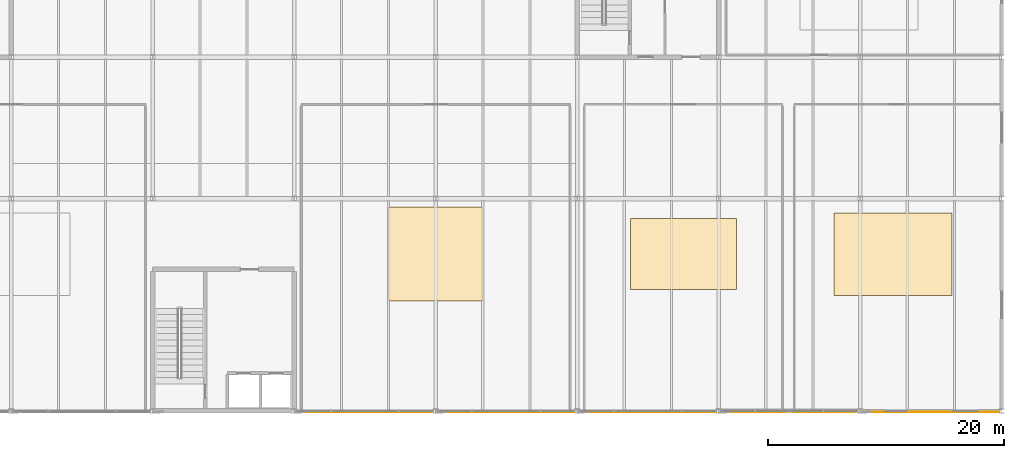
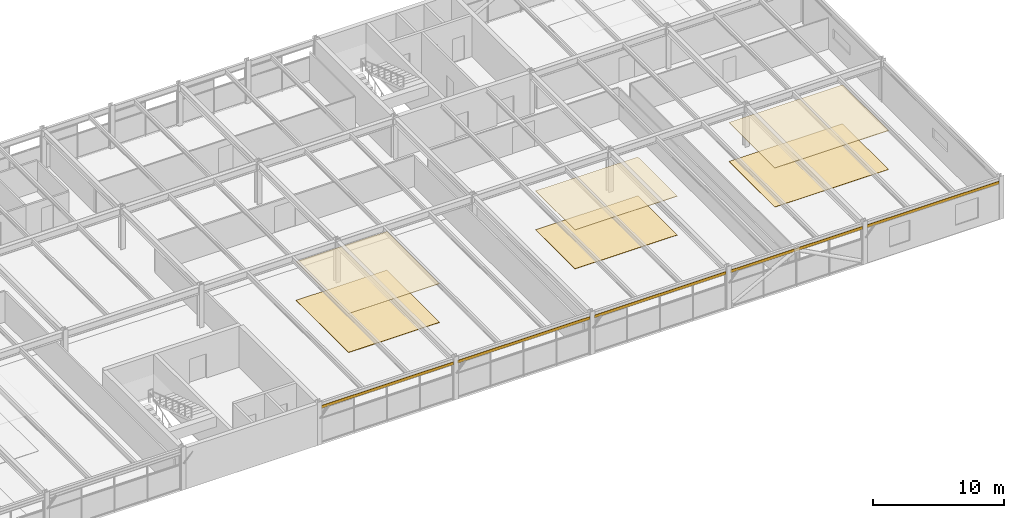
# One storey, part 50 of 51: 6 coverings, 5 shading devices.
"""IFC4 building model written with IfcOpenShell, lengths in metres."""

from ifc_helpers import new_model, si_unit, direction, frame, origin, origin_2d, place, context, subcontext, project, spatial, rectangle, extrude, material, layer, layer_set, type_object, element, save


model = new_model("IFC4")

# Units and contexts
model_context = context("Model", 3, precision=1e-05, world=origin(), true_north=direction((0.0, 1.0)))
body_context = subcontext(model_context, "Body", "Model", "MODEL_VIEW")
ifc_project = project(units=[si_unit("LENGTHUNIT", "METRE"), si_unit("AREAUNIT", "SQUARE_METRE"), si_unit("VOLUMEUNIT", "CUBIC_METRE"), si_unit("PLANEANGLEUNIT", "RADIAN"), si_unit("MASSUNIT", "GRAM", prefix="KILO")], contexts=[model_context])

# Site, building, storey
site_placement = place(None, origin())
site = spatial("IfcSite", under=ifc_project, at=site_placement, CompositionType="ELEMENT")
building_placement = place(site_placement, origin())
building = spatial("IfcBuilding", under=site, at=building_placement, Name="Girod Span Mobility Hub", CompositionType="ELEMENT")
storey_placement = place(building_placement, frame((0.0, 0.0, 41.60009765625)))
storey = spatial("IfcBuildingStorey", under=building, at=storey_placement, Name="L10", CompositionType="ELEMENT", Elevation=41.60009765625)

# Coverings
ifc_material_1 = material(Name="Perforated Mineral-Fibre Acoustic Ceiling Tile", Category="mineral")
ifc_layer_1 = layer(ifc_material_1, 0.050048828125)
ifc_layer_set_1 = layer_set([ifc_layer_1], Name="Perforated Mineral-Fibre Acoustic Ceiling Tile")
covering_type_1 = type_object("IfcCoveringType", Name="COV-CLG-1000X700", PredefinedType="CEILING", material=ifc_layer_set_1)
covering_1_placement = place(storey_placement, frame((134.800048828125, 40.300048828125, 3.60498046875), z_axis=(0.0, 0.0, 1.0), x_axis=(1.0, 0.0, 0.0)))
element("IfcCovering", 1, at=covering_1_placement, inside=storey, type_object=covering_type_1, Name="Office Suite South East L10 Acoustic Ceiling", PredefinedType="CEILING", context=body_context, shape_type="SweptSolid", body=[
    extrude(rectangle(XDim=10.0, YDim=7.0, at=origin_2d()), origin(), (0.0, 0.0, 1.0), 0.050048828125),
])
ifc_material_2 = material(Name="Perforated Mineral-Fibre Acoustic Ceiling Tile", Category="mineral")
ifc_layer_2 = layer(ifc_material_2, 0.0400390625)
ifc_layer_set_2 = layer_set([ifc_layer_2], Name="Perforated Mineral-Fibre Acoustic Ceiling Tile")
covering_type_2 = type_object("IfcCoveringType", Name="COV-CLG-800X800", PredefinedType="CEILING", material=ifc_layer_set_2)
covering_2_placement = place(storey_placement, frame((96.0, 40.300048828125, 3.60498046875), z_axis=(0.0, 0.0, 1.0), x_axis=(1.0, 0.0, 0.0)))
element("IfcCovering", 2, at=covering_2_placement, inside=storey, type_object=covering_type_2, Name="Planning Studio South L10 Acoustic Ceiling", PredefinedType="CEILING", context=body_context, shape_type="SweptSolid", body=[
    extrude(rectangle(XDim=8.0, YDim=8.0, at=origin_2d()), origin(), (0.0, 0.0, 1.0), 0.0400390625),
])
ifc_material_3 = material(Name="Perforated Mineral-Fibre Acoustic Ceiling Tile", Category="mineral")
ifc_layer_3 = layer(ifc_material_3, 0.044921875)
ifc_layer_set_3 = layer_set([ifc_layer_3], Name="Perforated Mineral-Fibre Acoustic Ceiling Tile")
covering_type_3 = type_object("IfcCoveringType", Name="COV-CLG-900X600", PredefinedType="CEILING", material=ifc_layer_set_3)
covering_3_placement = place(storey_placement, frame((117.0, 40.300048828125, 3.60498046875), z_axis=(0.0, 0.0, 1.0), x_axis=(1.0, 0.0, 0.0)))
element("IfcCovering", 3, at=covering_3_placement, inside=storey, type_object=covering_type_3, Name="Conference Room East L10 Acoustic Ceiling", PredefinedType="CEILING", context=body_context, shape_type="SweptSolid", body=[
    extrude(rectangle(XDim=9.0, YDim=6.0, at=origin_2d()), origin(), (0.0, 0.0, 1.0), 0.044921875),
])
ifc_material_4 = material(Name="Epoxy Terrazzo and Raised Access Flooring", Category="polymer")
ifc_layer_4 = layer(ifc_material_4, 0.02490234375)
ifc_layer_set_4 = layer_set([ifc_layer_4], Name="Epoxy Terrazzo and Raised Access Flooring")
covering_type_4 = type_object("IfcCoveringType", Name="COV-FLR-1000X700", PredefinedType="FLOORING", material=ifc_layer_set_4)
covering_4_placement = place(storey_placement, frame((134.800048828125, 40.300048828125, 0.0), z_axis=(0.0, 0.0, 1.0), x_axis=(1.0, 0.0, 0.0)))
element("IfcCovering", 4, at=covering_4_placement, inside=storey, type_object=covering_type_4, Name="Office Suite South East L10 Floor Finish", PredefinedType="FLOORING", context=body_context, shape_type="SweptSolid", body=[
    extrude(rectangle(XDim=10.0, YDim=7.0, at=origin_2d()), origin(), (0.0, 0.0, 1.0), 0.02490234375),
])
ifc_material_5 = material(Name="Epoxy Terrazzo and Raised Access Flooring", Category="polymer")
ifc_layer_5 = layer(ifc_material_5, 0.034912109375)
ifc_layer_set_5 = layer_set([ifc_layer_5], Name="Epoxy Terrazzo and Raised Access Flooring")
covering_type_5 = type_object("IfcCoveringType", Name="COV-FLR-800X800", PredefinedType="FLOORING", material=ifc_layer_set_5)
covering_5_placement = place(storey_placement, frame((96.0, 40.300048828125, 0.0), z_axis=(0.0, 0.0, 1.0), x_axis=(1.0, 0.0, 0.0)))
element("IfcCovering", 5, at=covering_5_placement, inside=storey, type_object=covering_type_5, Name="Planning Studio South L10 Floor Finish", PredefinedType="FLOORING", context=body_context, shape_type="SweptSolid", body=[
    extrude(rectangle(XDim=8.0, YDim=8.0, at=origin_2d()), origin(), (0.0, 0.0, 1.0), 0.034912109375),
])
ifc_material_6 = material(Name="Epoxy Terrazzo and Raised Access Flooring", Category="polymer")
ifc_layer_6 = layer(ifc_material_6, 0.030029296875)
ifc_layer_set_6 = layer_set([ifc_layer_6], Name="Epoxy Terrazzo and Raised Access Flooring")
covering_type_6 = type_object("IfcCoveringType", Name="COV-FLR-900X600", PredefinedType="FLOORING", material=ifc_layer_set_6)
covering_6_placement = place(storey_placement, frame((117.0, 40.300048828125, 0.0), z_axis=(0.0, 0.0, 1.0), x_axis=(1.0, 0.0, 0.0)))
element("IfcCovering", 6, at=covering_6_placement, inside=storey, type_object=covering_type_6, Name="Conference Room East L10 Floor Finish", PredefinedType="FLOORING", context=body_context, shape_type="SweptSolid", body=[
    extrude(rectangle(XDim=9.0, YDim=6.0, at=origin_2d()), origin(), (0.0, 0.0, 1.0), 0.030029296875),
])

# Shading devices
ifc_material_7 = material(Name="Aluminium 6063-T6", Category="aluminium")
ifc_layer_7 = layer(ifc_material_7, 0.0380859375)
ifc_layer_set_7 = layer_set([ifc_layer_7], Name="Aluminium 6063-T6")
shading_device_type = type_object("IfcShadingDeviceType", Name="SHD-SHT-11610X260X38", PredefinedType="SHUTTER", material=ifc_layer_set_7)
for number, where, z_axis, x_axis, name in (
    (7, (90.0, 26.919921875, 3.2607421875), (0.0, 0.0, 1.0), (1.0, 0.0, 0.0), "External Solar Shading Blade 8 L10"),
    (8, (102.0, 26.919921875, 3.2607421875), (0.0, 0.0, 1.0), (1.0, 0.0, 0.0), "External Solar Shading Blade 9 L10"),
    (9, (114.0, 26.919921875, 3.2607421875), (0.0, 0.0, 1.0), (1.0, 0.0, 0.0), "External Solar Shading Blade 10 L10"),
    (10, (126.0, 26.919921875, 3.2607421875), (0.0, 0.0, 1.0), (1.0, 0.0, 0.0), "External Solar Shading Blade 11 L10"),
    (11, (138.0, 26.919921875, 3.2607421875), (0.0, 0.0, 1.0), (1.0, 0.0, 0.0), "External Solar Shading Blade 12 L10"),
):
    element("IfcShadingDevice", number, at=place(storey_placement, frame(where, z_axis=z_axis, x_axis=x_axis)), inside=storey, type_object=shading_device_type, Name=name, PredefinedType="SHUTTER", context=body_context, shape_type="SweptSolid", body=[
        extrude(rectangle(XDim=11.610107421875, YDim=0.0380859375, at=origin_2d()), origin(), (0.0, 0.0, 1.0), 0.260009765625),
    ])

save(model, "model.ifc")
